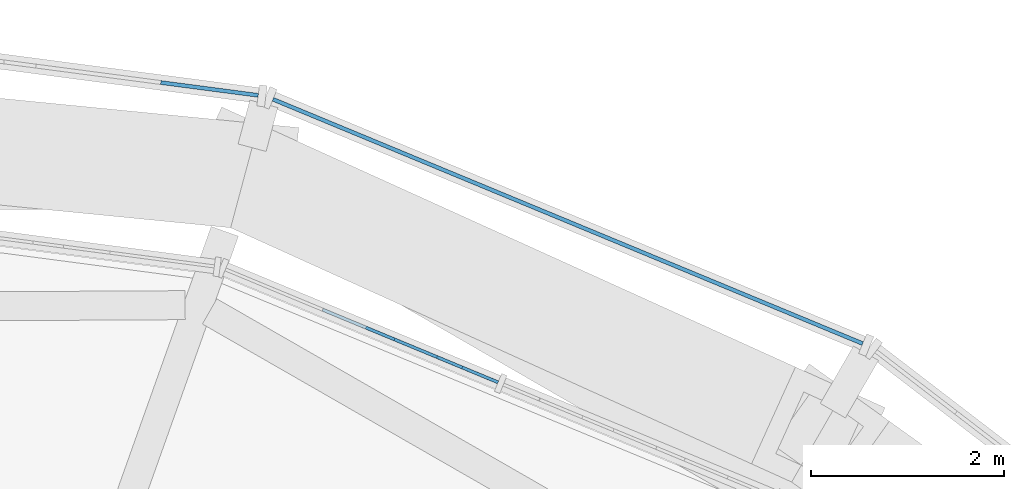
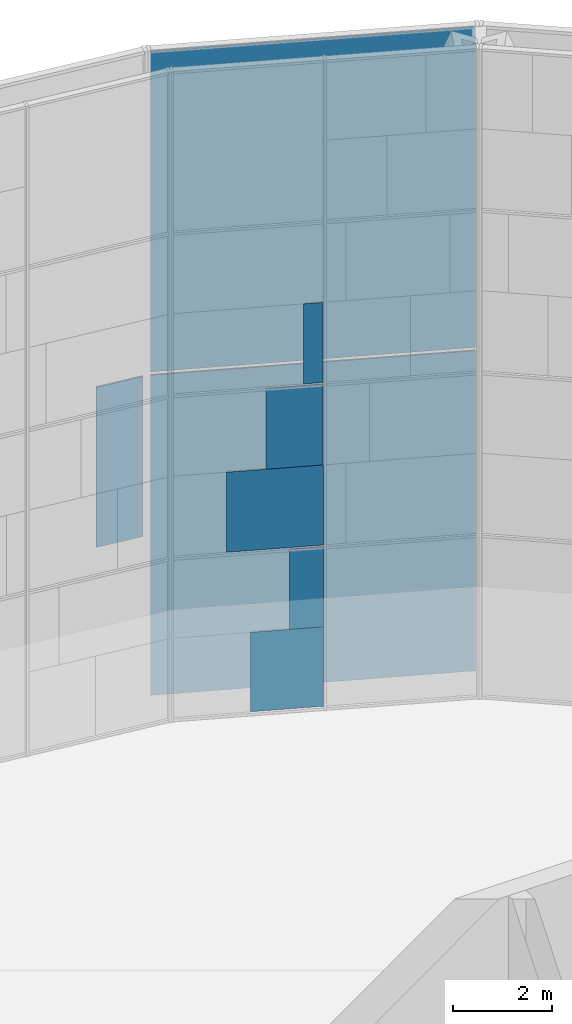
# One storey, part 26 of 30: 8 plates, 3 elements without a shape of their own.
"""IFC4 building model written with IfcOpenShell, lengths in metres."""

from ifc_helpers import new_model, si_unit, direction, frame, origin, origin_2d, place, context, subcontext, project, spatial, rectangle, extrude, material, layer, layer_set, type_object, element, aggregate, save


model = new_model("IFC4")

# Units and contexts
model_context = context("Model", 3, precision=1e-05, world=origin(), true_north=direction((0.0, 1.0)))
body_context = subcontext(model_context, "Body", "Model", "MODEL_VIEW")
ifc_project = project(units=[si_unit("LENGTHUNIT", "METRE"), si_unit("AREAUNIT", "SQUARE_METRE"), si_unit("VOLUMEUNIT", "CUBIC_METRE"), si_unit("PLANEANGLEUNIT", "RADIAN"), si_unit("MASSUNIT", "GRAM", prefix="KILO")], contexts=[model_context])

# Site, building, storey
site_placement = place(None, origin())
site = spatial("IfcSite", under=ifc_project, at=site_placement, CompositionType="ELEMENT")
building_placement = place(site_placement, origin())
building = spatial("IfcBuilding", under=site, at=building_placement, Name="Golbaran Civic Tower", CompositionType="ELEMENT")
storey_placement = place(building_placement, frame((0.0, 0.0, 167.0)))
storey = spatial("IfcBuildingStorey", under=building, at=storey_placement, Name="L40", CompositionType="ELEMENT", Elevation=167.0)

# Curtain wall, plates
ifc_material_1 = material(Name="Aluminium and glass", Category="aluminium")
curtain_wall_type_1 = type_object("IfcCurtainWallType", Name="INNER SKIN CURTAIN WALL EXECUTIVE", PredefinedType="NOTDEFINED", material=ifc_material_1)
curtain_wall_1_placement = place(storey_placement, origin())
curtain_wall_1 = element("IfcCurtainWall", 1, at=curtain_wall_1_placement, inside=storey, type_object=curtain_wall_type_1, Name="Inner skin L40 facet 5 CW2", ObjectType="INNER SKIN", PredefinedType="USERDEFINED")
ifc_material_2 = material(Name="Clear insulating glass", Category="glass")
ifc_layer_1 = layer(ifc_material_2, 0.031982421875, Name="Clear insulating glass")
ifc_layer_set_1 = layer_set([ifc_layer_1], Name="Clear insulating glass")
plate_type_1 = type_object("IfcPlateType", Name="INNER SKIN CURTAIN WALL EXECUTIVE GLAZED PANEL", PredefinedType="CURTAIN_PANEL", material=ifc_layer_set_1)
plate_1_placement = place(storey_placement, frame((8.426025390625, 22.35400390625, 0.06005859375), z_axis=(0.0, 0.0, 1.0), x_axis=(-0.923879532471, 0.382683432462, 0.0)))
plate_1 = element("IfcPlate", 2, at=plate_1_placement, type_object=plate_type_1, Name="CW2 panel 2.1 part 1", PredefinedType="CURTAIN_PANEL", context=body_context, shape_type="SweptSolid", body=[
    extrude(rectangle(XDim=1.47998046875, YDim=0.031982421875, at=origin_2d()), origin(), (0.0, 0.0, 1.0), 1.955078125),
])
plate_2_placement = place(storey_placement, frame((8.793701171875, 22.201904296875, 2.014892578125), z_axis=(0.0, 0.0, 1.0), x_axis=(-0.923879532471, 0.382683432462, 0.0)))
plate_2 = element("IfcPlate", 3, at=plate_2_placement, type_object=plate_type_1, Name="CW2 panel 2.1 part 3", PredefinedType="CURTAIN_PANEL", context=body_context, shape_type="SweptSolid", body=[
    extrude(rectangle(XDim=0.68408203125, YDim=0.031982421875, at=origin_2d()), origin(), (0.0, 0.0, 1.0), 1.955078125),
])
ifc_material_3 = material(Name="Aluminium faced opaque infill panel", Category="aluminium")
ifc_layer_2 = layer(ifc_material_3, 0.031982421875, Name="Aluminium faced opaque infill panel")
ifc_layer_set_2 = layer_set([ifc_layer_2], Name="Aluminium faced opaque infill panel")
plate_type_2 = type_object("IfcPlateType", Name="INNER SKIN CURTAIN WALL EXECUTIVE OPAQUE INFILL PANEL", PredefinedType="CURTAIN_PANEL", material=ifc_layer_set_2)
plate_3_placement = place(storey_placement, frame((8.202392578125, 22.44677734375, 4.02978515625), z_axis=(0.0, 0.0, 1.0), x_axis=(-0.923879532471, 0.382683432462, 0.0)))
plate_3 = element("IfcPlate", 4, at=plate_3_placement, type_object=plate_type_2, Name="CW2 infill panel 2.2 part 1", PredefinedType="CURTAIN_PANEL", context=body_context, shape_type="SweptSolid", body=[
    extrude(rectangle(XDim=1.964111328125, YDim=0.031982421875, at=origin_2d()), origin(), (0.0, 0.0, 1.0), 1.969970703125),
])
plate_4_placement = place(storey_placement, frame((8.5732421875, 22.29296875, 6.0), z_axis=(0.0, 0.0, 1.0), x_axis=(-0.923879532471, 0.382683432462, 0.0)))
plate_4 = element("IfcPlate", 5, at=plate_4_placement, type_object=plate_type_2, Name="CW2 infill panel 2.2 part 3", PredefinedType="CURTAIN_PANEL", context=body_context, shape_type="SweptSolid", body=[
    extrude(rectangle(XDim=1.160888671875, YDim=0.031982421875, at=origin_2d()), origin(), (0.0, 0.0, 1.0), 1.969970703125),
])
plate_5_placement = place(storey_placement, frame((8.92431640625, 22.147705078125, 8.02978515625), z_axis=(0.0, 0.0, 1.0), x_axis=(-0.923879532471, 0.382683432462, 0.0)))
plate_5 = element("IfcPlate", 6, at=plate_5_placement, type_object=plate_type_2, Name="CW2 infill panel 2.3 part 1", PredefinedType="CURTAIN_PANEL", context=body_context, shape_type="SweptSolid", body=[
    extrude(rectangle(XDim=0.40087890625, YDim=0.031982421875, at=origin_2d()), origin(), (0.0, 0.0, 1.0), 1.969970703125),
])
aggregate(curtain_wall_1, [plate_1, plate_2, plate_3, plate_4, plate_5])

# Curtain wall, plate
curtain_wall_type_2 = type_object("IfcCurtainWallType", Name="OUTER SKIN TERRACOTTA SCREEN", PredefinedType="NOTDEFINED", material=ifc_material_1)
curtain_wall_2_placement = place(storey_placement, origin())
curtain_wall_2 = element("IfcCurtainWall", 7, at=curtain_wall_2_placement, inside=storey, type_object=curtain_wall_type_2, Name="Outer skin L40 facet 6 CW3", ObjectType="OUTER SKIN", PredefinedType="USERDEFINED")
ifc_material_4 = material(Name="Clear laminated glass", Category="glass")
ifc_layer_3 = layer(ifc_material_4, 0.0400390625, Name="Clear laminated glass")
ifc_layer_set_3 = layer_set([ifc_layer_3], Name="Clear laminated glass")
plate_type_3 = type_object("IfcPlateType", Name="OUTER SKIN CLEAR GLASS PANEL", PredefinedType="CURTAIN_PANEL", material=ifc_layer_set_3)
plate_6_placement = place(storey_placement, frame((6.123779296875, 25.106689453125, 3.31005859375), z_axis=(0.0, 0.0, 1.0), x_axis=(-0.991444861381, 0.130526192168, 0.0)))
plate_6 = element("IfcPlate", 8, at=plate_6_placement, type_object=plate_type_3, Name="CW3 panel 1.1 part 3", PredefinedType="CURTAIN_PANEL", context=body_context, shape_type="SweptSolid", body=[
    extrude(rectangle(XDim=1.01611328125, YDim=0.0400390625, at=origin_2d()), origin(), (0.0, 0.0, 1.0), 3.93994140625),
])
aggregate(curtain_wall_2, [plate_6])

# Curtain wall, plates
curtain_wall_3_placement = place(storey_placement, origin())
curtain_wall_3 = element("IfcCurtainWall", 9, at=curtain_wall_3_placement, inside=storey, type_object=curtain_wall_type_2, Name="Outer skin L40 facet 5 CW3", ObjectType="OUTER SKIN", PredefinedType="USERDEFINED")
ifc_material_5 = material(Name="Terracotta baguette screen", Category="masonry")
ifc_layer_4 = layer(ifc_material_5, 0.0400390625, Name="Terracotta baguette screen")
ifc_layer_set_4 = layer_set([ifc_layer_4], Name="Terracotta baguette screen")
plate_type_4 = type_object("IfcPlateType", Name="OUTER SKIN TERRACOTTA SCREEN PANEL", PredefinedType="CURTAIN_PANEL", material=ifc_layer_set_4)
plate_7_placement = place(storey_placement, frame((9.83154296875, 23.735595703125, -0.6298828125), z_axis=(0.0, 0.0, 1.0), x_axis=(-0.923879532471, 0.382683432462, 0.0)))
plate_7 = element("IfcPlate", 10, at=plate_7_placement, type_object=plate_type_4, Name="CW3 terracotta screen panel 1.1", PredefinedType="CURTAIN_PANEL", context=body_context, shape_type="SweptSolid", body=[
    extrude(rectangle(XDim=6.604736328125, YDim=0.0400390625, at=origin_2d()), origin(), (0.0, 0.0, 1.0), 7.8798828125),
])
plate_8_placement = place(storey_placement, frame((9.83154296875, 23.735595703125, 7.330078125), z_axis=(0.0, 0.0, 1.0), x_axis=(-0.923879532471, 0.382683432462, 0.0)))
plate_8 = element("IfcPlate", 11, at=plate_8_placement, type_object=plate_type_4, Name="CW3 terracotta screen panel 1.2", PredefinedType="CURTAIN_PANEL", context=body_context, shape_type="SweptSolid", body=[
    extrude(rectangle(XDim=6.604736328125, YDim=0.0400390625, at=origin_2d()), origin(), (0.0, 0.0, 1.0), 7.8798828125),
])
aggregate(curtain_wall_3, [plate_7, plate_8])

save(model, "model.ifc")
